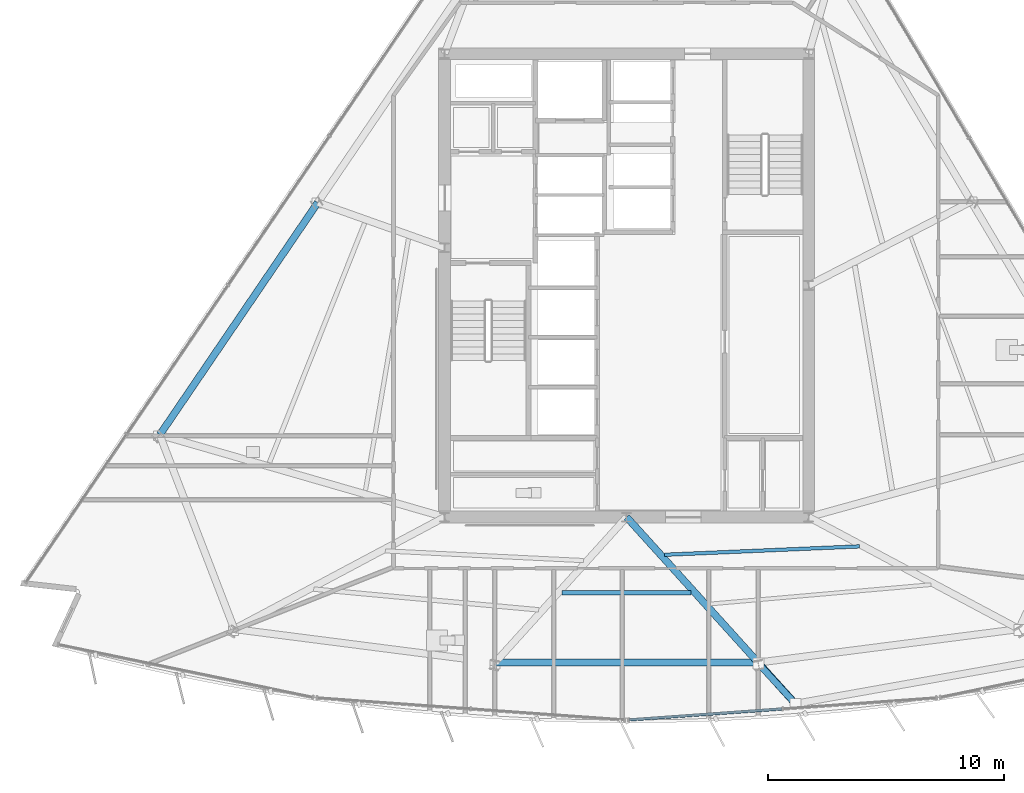
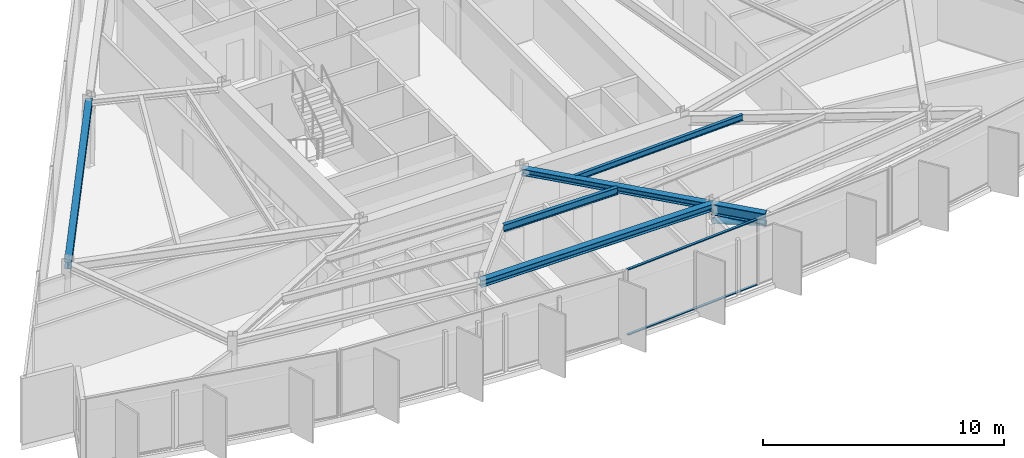
# One storey, part 3 of 15: 6 beams, 3 members, 1 element without a shape of its own.
"""IFC4 building model written with IfcOpenShell, lengths in metres."""

from ifc_helpers import new_model, si_unit, direction, frame, origin, origin_2d, place, context, subcontext, project, spatial, rectangle, hollow_circle, i_section, extrude, material, material_profile, profile_set, type_object, element, aggregate, save


model = new_model("IFC4")

# Units and contexts
model_context = context("Model", 3, precision=1e-05, world=origin(), true_north=direction((0.0, 1.0)))
body_context = subcontext(model_context, "Body", "Model", "MODEL_VIEW")
ifc_project = project(units=[si_unit("LENGTHUNIT", "METRE"), si_unit("AREAUNIT", "SQUARE_METRE"), si_unit("VOLUMEUNIT", "CUBIC_METRE"), si_unit("PLANEANGLEUNIT", "RADIAN"), si_unit("MASSUNIT", "GRAM", prefix="KILO")], contexts=[model_context])

# Site, building, storey
site_placement = place(None, origin())
site = spatial("IfcSite", under=ifc_project, at=site_placement, CompositionType="ELEMENT")
building_placement = place(site_placement, origin())
building = spatial("IfcBuilding", under=site, at=building_placement, Name="Savorim Split Tower", CompositionType="ELEMENT")
storey_placement = place(building_placement, frame((0.0, 0.0, 212.699951171875)))
storey = spatial("IfcBuildingStorey", under=building, at=storey_placement, Name="L56", CompositionType="ELEMENT", Elevation=212.699951171875)

# Beams
ifc_material_1 = material(Name="Steel S355", Category="steel")
ifc_material_profile_1 = material_profile(ifc_material_1, i_section(OverallWidth=0.14990234375, OverallDepth=0.300048828125, WebThickness=0.007080078125, FlangeThickness=0.0107421875, FilletRadius=0.014892578125, at=origin_2d()), Name="IPE 300")
ifc_profile_set_1 = profile_set([ifc_material_profile_1], Name="Steel S355")
beam_type_1 = type_object("IfcBeamType", Name="BM-JST-IPE300", PredefinedType="JOIST", material=ifc_profile_set_1)
beam_1_placement = place(storey_placement, frame((1.606201171875, -10.992431640625, 3.199951171875), z_axis=(0.999077410891, 0.042945628959, 0.0), x_axis=(-0.042945628959, 0.999077410891, 0.0)))
element("IfcBeam", 1, at=beam_1_placement, inside=storey, type_object=beam_type_1, Name="L56 Secondary Floor Joist JS-05", PredefinedType="JOIST", context=body_context, shape_type="SweptSolid", body=[
    extrude(i_section(OverallWidth=0.14990234375, OverallDepth=0.300048828125, WebThickness=0.007080078125, FlangeThickness=0.0107421875, FilletRadius=0.014892578125, at=origin_2d()), origin(), (0.0, 0.0, 1.0), 8.25439453125),
])
ifc_material_profile_2 = material_profile(ifc_material_1, i_section(OverallWidth=0.169921875, OverallDepth=0.360107421875, WebThickness=0.008056640625, FlangeThickness=0.0126953125, FilletRadius=0.01806640625, at=origin_2d()), Name="IPE 360")
ifc_profile_set_2 = profile_set([ifc_material_profile_2], Name="Steel S355")
beam_type_2 = type_object("IfcBeamType", Name="BM-JST-IPE360", PredefinedType="JOIST", material=ifc_profile_set_2)
beam_2_placement = place(storey_placement, frame((-2.732421875, -12.598876953125, 3.170166015625), z_axis=(1.0, 0.0, 0.0), x_axis=(0.0, 1.0, 0.0)))
element("IfcBeam", 2, at=beam_2_placement, inside=storey, type_object=beam_type_2, Name="L56 Secondary Floor Joist JS-03", PredefinedType="JOIST", context=body_context, shape_type="SweptSolid", body=[
    extrude(i_section(OverallWidth=0.169921875, OverallDepth=0.360107421875, WebThickness=0.008056640625, FlangeThickness=0.0126953125, FilletRadius=0.01806640625, at=origin_2d()), origin(), (0.0, 0.0, 1.0), 5.46484375),
])
ifc_material_profile_3 = material_profile(ifc_material_1, i_section(OverallWidth=0.300048828125, OverallDepth=0.320068359375, WebThickness=0.011474609375, FlangeThickness=0.0205078125, FilletRadius=0.027099609375, at=origin_2d()), Name="HEB 320")
ifc_profile_set_3 = profile_set([ifc_material_profile_3], Name="Steel S355")
beam_type_3 = type_object("IfcBeamType", Name="BM-PRI-HEB320", PredefinedType="BEAM", material=ifc_profile_set_3)
beam_3_placement = place(storey_placement, frame((5.562255859375, -15.5517578125, 3.18994140625), z_axis=(-0.670667402164, 0.741758205667, 0.0), x_axis=(-0.741758205667, -0.670667402164, 0.0)))
element("IfcBeam", 3, at=beam_3_placement, inside=storey, type_object=beam_type_3, Name="L56 Primary Floor Girder RG-03", PredefinedType="BEAM", context=body_context, shape_type="SweptSolid", body=[
    extrude(i_section(OverallWidth=0.300048828125, OverallDepth=0.320068359375, WebThickness=0.011474609375, FlangeThickness=0.0205078125, FilletRadius=0.027099609375, at=origin_2d()), origin(), (0.0, 0.0, 1.0), 8.293701171875),
])
ifc_material_profile_4 = material_profile(ifc_material_1, i_section(OverallWidth=0.300048828125, OverallDepth=0.550048828125, WebThickness=0.014892578125, FlangeThickness=0.029052734375, FilletRadius=0.027099609375, at=origin_2d()), Name="HEB 550")
ifc_profile_set_4 = profile_set([ifc_material_profile_4], Name="Steel S355")
beam_type_4 = type_object("IfcBeamType", Name="BM-PRI-HEB550", PredefinedType="BEAM", material=ifc_profile_set_4)
beam_4_placement = place(storey_placement, frame((5.562255859375, -15.5517578125, 3.074951171875), z_axis=(0.670627633931, -0.741794160538, 0.0), x_axis=(0.741794160538, 0.670627633931, 0.0)))
element("IfcBeam", 4, at=beam_4_placement, inside=storey, type_object=beam_type_4, Name="L56 Cantilevered Lounge Rib 1", PredefinedType="BEAM", context=body_context, shape_type="SweptSolid", body=[
    extrude(i_section(OverallWidth=0.300048828125, OverallDepth=0.550048828125, WebThickness=0.014892578125, FlangeThickness=0.029052734375, FilletRadius=0.027099609375, at=origin_2d()), origin(), (0.0, 0.0, 1.0), 2.349853515625),
])
ifc_material_profile_5 = material_profile(ifc_material_1, i_section(OverallWidth=0.300048828125, OverallDepth=0.35009765625, WebThickness=0.010009765625, FlangeThickness=0.017578125, FilletRadius=0.027099609375, at=origin_2d()), Name="HEA 360")
ifc_profile_set_5 = profile_set([ifc_material_profile_5], Name="Steel S355")
beam_type_5 = type_object("IfcBeamType", Name="BM-SPN-HEA360", PredefinedType="SPANDREL", material=ifc_profile_set_5)
beam_5_placement = place(storey_placement, frame((-5.562255859375, -15.5517578125, 3.175048828125), z_axis=(1.0, 0.0, 0.0), x_axis=(0.0, 1.0, 0.0)))
element("IfcBeam", 5, at=beam_5_placement, inside=storey, type_object=beam_type_5, Name="L56 Perimeter Spandrel Beam 2", PredefinedType="SPANDREL", context=body_context, shape_type="SweptSolid", body=[
    extrude(i_section(OverallWidth=0.300048828125, OverallDepth=0.35009765625, WebThickness=0.010009765625, FlangeThickness=0.017578125, FilletRadius=0.027099609375, at=origin_2d()), origin(), (0.0, 0.0, 1.0), 11.12451171875),
])
beam_6_placement = place(storey_placement, frame((-13.06201171875, 3.90576171875, 3.175048828125), z_axis=(-0.562462807836, -0.826822586654, 0.0), x_axis=(0.826822586654, -0.562462807836, 0.0)))
element("IfcBeam", 6, at=beam_6_placement, inside=storey, type_object=beam_type_5, Name="L56 Perimeter Spandrel Beam 9", PredefinedType="SPANDREL", context=body_context, shape_type="SweptSolid", body=[
    extrude(i_section(OverallWidth=0.300048828125, OverallDepth=0.35009765625, WebThickness=0.010009765625, FlangeThickness=0.017578125, FilletRadius=0.027099609375, at=origin_2d()), origin(), (0.0, 0.0, 1.0), 11.887451171875),
])

# Curtain wall, members
ifc_material_2 = material(Name="Dark Ceramic-Fritted Insulated Glass", Category="glass")
curtain_wall_type = type_object("IfcCurtainWallType", Name="CW-TWR-FRIT-B", PredefinedType="NOTDEFINED", material=ifc_material_2)
curtain_wall_placement = place(storey_placement, origin())
curtain_wall = element("IfcCurtainWall", 7, at=curtain_wall_placement, inside=storey, type_object=curtain_wall_type, Name="L56 Curtain Wall CW-L56-SF3", PredefinedType="NOTDEFINED")
ifc_material_3 = material(Name="Charcoal Anodised Aluminium", Category="aluminium")
ifc_material_profile_6 = material_profile(ifc_material_3, rectangle(XDim=0.1201171875, YDim=0.050048828125, at=origin_2d()), Name="ALU-T 120x50")
ifc_profile_set_6 = profile_set([ifc_material_profile_6], Name="Charcoal Anodised Aluminium")
member_type_1 = type_object("IfcMemberType", Name="CWT-120x50", PredefinedType="USERDEFINED", material=ifc_profile_set_6)
member_1_placement = place(storey_placement, frame((0.111083984375, -17.97412109375, 0.025146484375), z_axis=(0.997435267849, 0.071574342133, 0.0), x_axis=(-0.071574342133, 0.997435267849, 0.0)))
member_1 = element("IfcMember", 8, at=member_1_placement, type_object=member_type_1, Name="CW-03 transom 1.1", ObjectType="TRANSOM", PredefinedType="USERDEFINED", context=body_context, shape_type="SweptSolid", body=[
    extrude(rectangle(XDim=0.1201171875, YDim=0.050048828125, at=origin_2d()), origin(), (0.0, 0.0, 1.0), 6.46728515625),
])
member_2_placement = place(storey_placement, frame((0.111083984375, -17.97412109375, 3.324951171875), z_axis=(0.997435267849, 0.071574342133, 0.0), x_axis=(-0.071574342133, 0.997435267849, 0.0)))
member_2 = element("IfcMember", 9, at=member_2_placement, type_object=member_type_1, Name="CW-03 transom 1.2", ObjectType="TRANSOM", PredefinedType="USERDEFINED", context=body_context, shape_type="SweptSolid", body=[
    extrude(rectangle(XDim=0.1201171875, YDim=0.050048828125, at=origin_2d()), origin(), (0.0, 0.0, 1.0), 6.46728515625),
])
aggregate(curtain_wall, [member_1, member_2])

# Member
ifc_material_profile_7 = material_profile(ifc_material_1, hollow_circle(Radius=0.136474609375, WallThickness=0.01611328125, at=origin_2d()), Name="CHS 273x16")
ifc_profile_set_7 = profile_set([ifc_material_profile_7], Name="Steel S355")
member_type_2 = type_object("IfcMemberType", Name="MBR-CRN-CHS273", PredefinedType="BRACE", material=ifc_profile_set_7)
member_3_placement = place(storey_placement, frame((5.570068359375, -15.592041015625, 2.449951171875), z_axis=(0.668903530914, -0.726389868928, 0.157879145705), x_axis=(0.735615634827, 0.677399171684, 0.0)))
element("IfcMember", 10, at=member_3_placement, inside=storey, type_object=member_type_2, Name="L56 Cantilevered Bay Support Strut 1", PredefinedType="BRACE", context=body_context, shape_type="SweptSolid", body=[
    extrude(hollow_circle(Radius=0.136474609375, WallThickness=0.01611328125, at=origin_2d()), origin(), (0.0, 0.0, 1.0), 2.34423828125),
])

save(model, "model.ifc")
